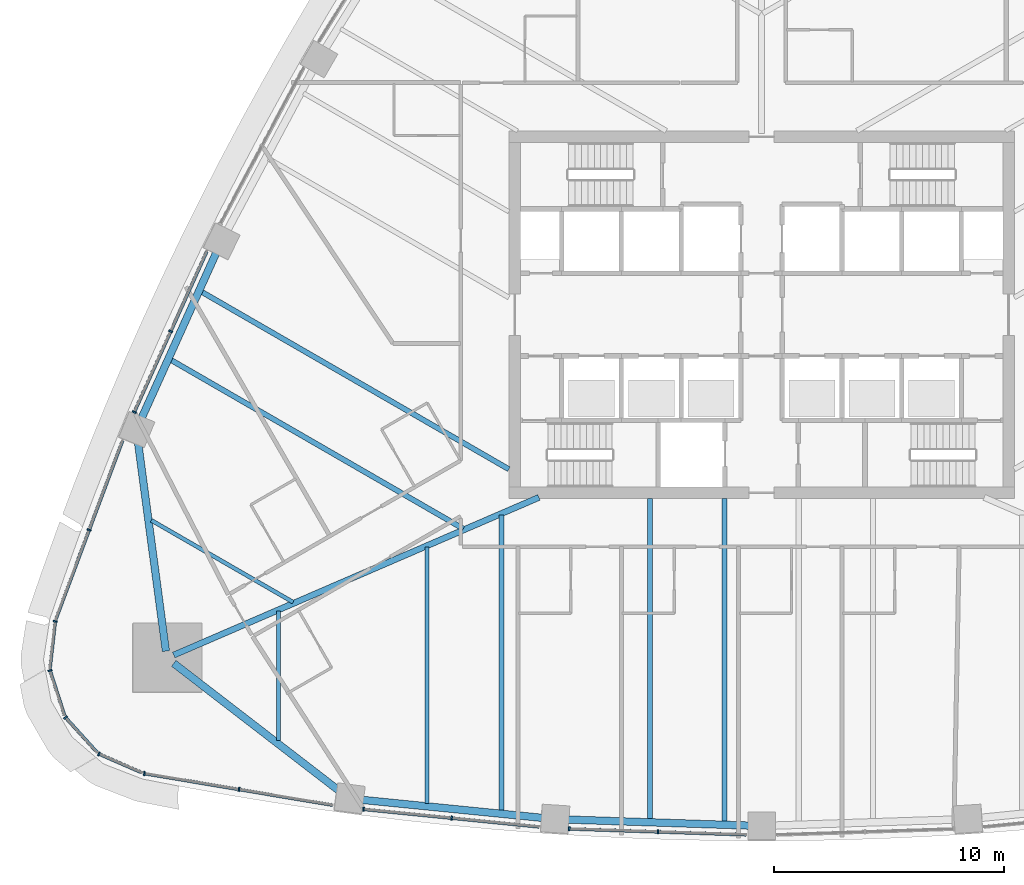
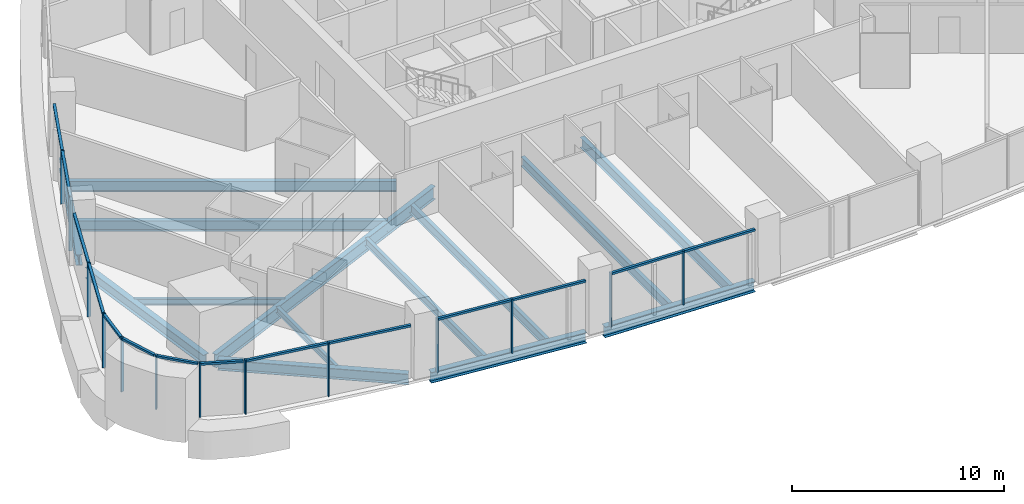
# One storey, part 2 of 17: 27 members, 14 beams, 9 elements without a shape of their own.
"""IFC4 building model written with IfcOpenShell, lengths in metres."""

from ifc_helpers import new_model, si_unit, direction, frame, origin, origin_2d, place, context, subcontext, project, spatial, rectangle, i_section, extrude, material, layer, layer_set, material_profile, profile_set, type_object, element, aggregate, save


model = new_model("IFC4")

# Units and contexts
model_context = context("Model", 3, precision=1e-05, world=origin(), true_north=direction((0.0, 1.0)))
body_context = subcontext(model_context, "Body", "Model", "MODEL_VIEW")
ifc_project = project(units=[si_unit("LENGTHUNIT", "METRE"), si_unit("AREAUNIT", "SQUARE_METRE"), si_unit("VOLUMEUNIT", "CUBIC_METRE"), si_unit("PLANEANGLEUNIT", "RADIAN"), si_unit("MASSUNIT", "GRAM", prefix="KILO")], contexts=[model_context])

# Site, building, storey
site_placement = place(None, origin())
site = spatial("IfcSite", under=ifc_project, at=site_placement, CompositionType="ELEMENT")
building_placement = place(site_placement, origin())
building = spatial("IfcBuilding", under=site, at=building_placement, Name="Sierra Prisma Convention Tower", CompositionType="ELEMENT")
storey_placement = place(building_placement, frame((0.0, 0.0, 92.39990234375)))
storey = spatial("IfcBuildingStorey", under=building, at=storey_placement, Name="L19", CompositionType="ELEMENT", Elevation=92.39990234375)

# Curtain wall, members
ifc_material_1 = material(Name="Aluminium and glass curtain wall", Category="aluminium")
ifc_layer = layer(ifc_material_1, 0.179931640625)
ifc_layer_set = layer_set([ifc_layer], Name="CW-1 Plain shaft curtain wall")
curtain_wall_type = type_object("IfcCurtainWallType", Name="CW-1 Plain shaft curtain wall", PredefinedType="NOTDEFINED", material=ifc_layer_set)
curtain_wall_1_placement = place(storey_placement, origin())
curtain_wall_1 = element("IfcCurtainWall", 1, at=curtain_wall_1_placement, inside=storey, type_object=curtain_wall_type, Name="CW-1 S1 L19", PredefinedType="NOTDEFINED")
ifc_material_2 = material(Name="Aluminium 6063-T6 bronze anodised", Category="aluminium")
ifc_material_profile_1 = material_profile(ifc_material_2, rectangle(XDim=0.179931640625, YDim=0.070068359375, at=origin_2d()), Name="ALU MULLION 70x180")
ifc_profile_set_1 = profile_set([ifc_material_profile_1], Name="Aluminium 6063-T6 bronze anodised")
member_type_1 = type_object("IfcMemberType", Name="CW mullion bronze", PredefinedType="MULLION", material=ifc_profile_set_1)
member_1_placement = place(storey_placement, frame((-26.864990234375, -19.970458984375, 0.0), z_axis=(0.0, 0.0, 1.0), x_axis=(0.165422104456, 0.98622285887, 0.0)))
member_1 = element("IfcMember", 2, at=member_1_placement, type_object=member_type_1, Name="CW-1 mullion S1.1", PredefinedType="MULLION", context=body_context, shape_type="SweptSolid", body=[
    extrude(rectangle(XDim=0.179931640625, YDim=0.070068359375, at=origin_2d()), origin(), (0.0, 0.0, 1.0), 3.10009765625),
])
member_2_placement = place(storey_placement, frame((-22.745361328125, -20.661376953125, 0.0), z_axis=(0.0, 0.0, 1.0), x_axis=(0.165422104456, 0.98622285887, 0.0)))
member_2 = element("IfcMember", 3, at=member_2_placement, type_object=member_type_1, Name="CW-1 mullion S1.2", PredefinedType="MULLION", context=body_context, shape_type="SweptSolid", body=[
    extrude(rectangle(XDim=0.179931640625, YDim=0.070068359375, at=origin_2d()), origin(), (0.0, 0.0, 1.0), 3.10009765625),
])

curtain_wall_2_placement = place(storey_placement, origin())
curtain_wall_2 = element("IfcCurtainWall", 4, at=curtain_wall_2_placement, inside=storey, type_object=curtain_wall_type, Name="CW-1 S2 L19", PredefinedType="NOTDEFINED")
member_3_placement = place(storey_placement, frame((-17.322509765625, -21.525146484375, 0.0), z_axis=(0.0, 0.0, 1.0), x_axis=(0.099546451535, 0.995032916032, 0.0)))
member_3 = element("IfcMember", 5, at=member_3_placement, type_object=member_type_1, Name="CW-1 mullion S2.1", PredefinedType="MULLION", context=body_context, shape_type="SweptSolid", body=[
    extrude(rectangle(XDim=0.179931640625, YDim=0.070068359375, at=origin_2d()), origin(), (0.0, 0.0, 1.0), 3.10009765625),
])
member_4_placement = place(storey_placement, frame((-13.48681640625, -21.908935546875, 0.0), z_axis=(0.0, 0.0, 1.0), x_axis=(0.099546451535, 0.995032916032, 0.0)))
member_4 = element("IfcMember", 6, at=member_4_placement, type_object=member_type_1, Name="CW-1 mullion S2.2", PredefinedType="MULLION", context=body_context, shape_type="SweptSolid", body=[
    extrude(rectangle(XDim=0.179931640625, YDim=0.070068359375, at=origin_2d()), origin(), (0.0, 0.0, 1.0), 3.10009765625),
])

curtain_wall_3_placement = place(storey_placement, origin())
curtain_wall_3 = element("IfcCurtainWall", 7, at=curtain_wall_3_placement, inside=storey, type_object=curtain_wall_type, Name="CW-1 S3 L19", PredefinedType="NOTDEFINED")
member_5_placement = place(storey_placement, frame((-8.3720703125, -22.37744140625, 0.0), z_axis=(0.0, 0.0, 1.0), x_axis=(0.033231080162, 0.999447695135, 0.0)))
member_5 = element("IfcMember", 8, at=member_5_placement, type_object=member_type_1, Name="CW-1 mullion S3.1", PredefinedType="MULLION", context=body_context, shape_type="SweptSolid", body=[
    extrude(rectangle(XDim=0.179931640625, YDim=0.070068359375, at=origin_2d()), origin(), (0.0, 0.0, 1.0), 3.10009765625),
])
member_6_placement = place(storey_placement, frame((-4.50341796875, -22.505859375, 0.0), z_axis=(0.0, 0.0, 1.0), x_axis=(0.033231080162, 0.999447695135, 0.0)))
member_6 = element("IfcMember", 9, at=member_6_placement, type_object=member_type_1, Name="CW-1 mullion S3.2", PredefinedType="MULLION", context=body_context, shape_type="SweptSolid", body=[
    extrude(rectangle(XDim=0.179931640625, YDim=0.070068359375, at=origin_2d()), origin(), (0.0, 0.0, 1.0), 3.10009765625),
])

curtain_wall_4_placement = place(storey_placement, origin())
curtain_wall_4 = element("IfcCurtainWall", 10, at=curtain_wall_4_placement, inside=storey, type_object=curtain_wall_type, Name="CW-1 NW5 L19", PredefinedType="NOTDEFINED")
member_7_placement = place(storey_placement, frame((-25.717041015625, -0.7255859375, 0.0), z_axis=(0.0, 0.0, 1.0), x_axis=(0.911497008653, -0.41130670213, 0.0)))
member_7 = element("IfcMember", 11, at=member_7_placement, type_object=member_type_1, Name="CW-1 mullion NW5.2", PredefinedType="MULLION", context=body_context, shape_type="SweptSolid", body=[
    extrude(rectangle(XDim=0.179931640625, YDim=0.070068359375, at=origin_2d()), origin(), (0.0, 0.0, 1.0), 3.10009765625),
])
member_8_placement = place(storey_placement, frame((-27.302490234375, -4.239013671875, 0.0), z_axis=(0.0, 0.0, 1.0), x_axis=(0.911497008653, -0.41130670213, 0.0)))
member_8 = element("IfcMember", 12, at=member_8_placement, type_object=member_type_1, Name="CW-1 mullion NW5.3", PredefinedType="MULLION", context=body_context, shape_type="SweptSolid", body=[
    extrude(rectangle(XDim=0.179931640625, YDim=0.070068359375, at=origin_2d()), origin(), (0.0, 0.0, 1.0), 3.10009765625),
])

# Curtain wall, member
curtain_wall_5_placement = place(storey_placement, origin())
curtain_wall_5 = element("IfcCurtainWall", 13, at=curtain_wall_5_placement, inside=storey, type_object=curtain_wall_type, Name="CW-1 NW6 L19", PredefinedType="NOTDEFINED")
member_9_placement = place(storey_placement, frame((-29.265869140625, -9.3671875, 0.0), z_axis=(0.0, 0.0, 1.0), x_axis=(0.936805101802, -0.349851684629, 0.0)))
member_9 = element("IfcMember", 14, at=member_9_placement, type_object=member_type_1, Name="CW-1 mullion NW6.2", PredefinedType="MULLION", context=body_context, shape_type="SweptSolid", body=[
    extrude(rectangle(XDim=0.179931640625, YDim=0.070068359375, at=origin_2d()), origin(), (0.0, 0.0, 1.0), 3.10009765625),
])

curtain_wall_6_placement = place(storey_placement, origin())
curtain_wall_6 = element("IfcCurtainWall", 15, at=curtain_wall_6_placement, inside=storey, type_object=curtain_wall_type, Name="CW-1 SW1 L19", PredefinedType="NOTDEFINED")
member_10_placement = place(storey_placement, frame((-30.743408203125, -13.34814453125, 0.0), z_axis=(0.0, 0.0, 1.0), x_axis=(0.993708598204, -0.111996526083, 0.0)))
member_10 = element("IfcMember", 16, at=member_10_placement, type_object=member_type_1, Name="CW-1 mullion SW1.1", PredefinedType="MULLION", context=body_context, shape_type="SweptSolid", body=[
    extrude(rectangle(XDim=0.179931640625, YDim=0.070068359375, at=origin_2d()), origin(), (0.0, 0.0, 1.0), 3.10009765625),
])

curtain_wall_7_placement = place(storey_placement, origin())
curtain_wall_7 = element("IfcCurtainWall", 17, at=curtain_wall_7_placement, inside=storey, type_object=curtain_wall_type, Name="CW-1 SW2 L19", PredefinedType="NOTDEFINED")
member_11_placement = place(storey_placement, frame((-30.97021484375, -15.48779296875, 0.0), z_axis=(0.0, 0.0, 1.0), x_axis=(0.951827336529, 0.306634507902, 0.0)))
member_11 = element("IfcMember", 18, at=member_11_placement, type_object=member_type_1, Name="CW-1 mullion SW2.1", PredefinedType="MULLION", context=body_context, shape_type="SweptSolid", body=[
    extrude(rectangle(XDim=0.179931640625, YDim=0.070068359375, at=origin_2d()), origin(), (0.0, 0.0, 1.0), 3.10009765625),
])

curtain_wall_8_placement = place(storey_placement, origin())
curtain_wall_8 = element("IfcCurtainWall", 19, at=curtain_wall_8_placement, inside=storey, type_object=curtain_wall_type, Name="CW-1 SW3 L19", PredefinedType="NOTDEFINED")
member_12_placement = place(storey_placement, frame((-30.296630859375, -17.53125, 0.0), z_axis=(0.0, 0.0, 1.0), x_axis=(0.741466941784, 0.6709893995, 0.0)))
member_12 = element("IfcMember", 20, at=member_12_placement, type_object=member_type_1, Name="CW-1 mullion SW3.1", PredefinedType="MULLION", context=body_context, shape_type="SweptSolid", body=[
    extrude(rectangle(XDim=0.179931640625, YDim=0.070068359375, at=origin_2d()), origin(), (0.0, 0.0, 1.0), 3.10009765625),
])

curtain_wall_9_placement = place(storey_placement, origin())
curtain_wall_9 = element("IfcCurtainWall", 21, at=curtain_wall_9_placement, inside=storey, type_object=curtain_wall_type, Name="CW-1 SW4 L19", PredefinedType="NOTDEFINED")
member_13_placement = place(storey_placement, frame((-28.84228515625, -19.116943359375, 0.0), z_axis=(0.0, 0.0, 1.0), x_axis=(0.399862462379, 0.916575153045, 0.0)))
member_13 = element("IfcMember", 22, at=member_13_placement, type_object=member_type_1, Name="CW-1 mullion SW4.1", PredefinedType="MULLION", context=body_context, shape_type="SweptSolid", body=[
    extrude(rectangle(XDim=0.179931640625, YDim=0.070068359375, at=origin_2d()), origin(), (0.0, 0.0, 1.0), 3.10009765625),
])

# Member
ifc_material_3 = material(Name="Aluminium 6063-T6 bronze anodised", Category="aluminium")
ifc_material_profile_2 = material_profile(ifc_material_3, rectangle(XDim=0.139892578125, YDim=0.1201171875, at=origin_2d()), Name="ALU TRANSOM 120x140")
ifc_profile_set_2 = profile_set([ifc_material_profile_2], Name="Aluminium 6063-T6 bronze anodised")
member_type_2 = type_object("IfcMemberType", Name="CW transom bronze", PredefinedType="USERDEFINED", material=ifc_profile_set_2)
member_14_placement = place(storey_placement, frame((-26.83056640625, -19.97607421875, 3.0400390625), z_axis=(0.986223108037, -0.165420618953, 0.0), x_axis=(0.165420618953, 0.986223108037, 0.0)))
member_14 = element("IfcMember", 23, at=member_14_placement, type_object=member_type_2, Name="CW-1 transom S1.1", ObjectType="TRANSOM", PredefinedType="USERDEFINED", context=body_context, shape_type="SweptSolid", body=[
    extrude(rectangle(XDim=0.139892578125, YDim=0.1201171875, at=origin_2d()), origin(), (0.0, 0.0, 1.0), 4.107421875),
])

member_15_placement = place(storey_placement, frame((-22.710693359375, -20.667236328125, 3.0400390625), z_axis=(0.986221481387, -0.165430316599, 0.0), x_axis=(0.165430316599, 0.986221481387, 0.0)))
member_15 = element("IfcMember", 24, at=member_15_placement, type_object=member_type_2, Name="CW-1 transom S1.2", ObjectType="TRANSOM", PredefinedType="USERDEFINED", context=body_context, shape_type="SweptSolid", body=[
    extrude(rectangle(XDim=0.139892578125, YDim=0.1201171875, at=origin_2d()), origin(), (0.0, 0.0, 1.0), 4.107177734375),
])

aggregate(curtain_wall_1, [member_1, member_2, member_14, member_15])

member_16_placement = place(storey_placement, frame((-17.28759765625, -21.528564453125, 3.0400390625), z_axis=(0.995027605282, -0.099599521722, 0.0), x_axis=(0.099599521722, 0.995027605282, 0.0)))
member_16 = element("IfcMember", 25, at=member_16_placement, type_object=member_type_2, Name="CW-1 transom S2.1", ObjectType="TRANSOM", PredefinedType="USERDEFINED", context=body_context, shape_type="SweptSolid", body=[
    extrude(rectangle(XDim=0.139892578125, YDim=0.1201171875, at=origin_2d()), origin(), (0.0, 0.0, 1.0), 3.78466796875),
])

member_17_placement = place(storey_placement, frame((-13.4521484375, -21.912353515625, 3.0400390625), z_axis=(0.995033996238, -0.099535653562, 0.0), x_axis=(0.099535653562, 0.995033996238, 0.0)))
member_17 = element("IfcMember", 26, at=member_17_placement, type_object=member_type_2, Name="CW-1 transom S2.2", ObjectType="TRANSOM", PredefinedType="USERDEFINED", context=body_context, shape_type="SweptSolid", body=[
    extrude(rectangle(XDim=0.139892578125, YDim=0.1201171875, at=origin_2d()), origin(), (0.0, 0.0, 1.0), 3.78466796875),
])

aggregate(curtain_wall_2, [member_3, member_4, member_16, member_17])

member_18_placement = place(storey_placement, frame((-8.337158203125, -22.37841796875, 3.0400390625), z_axis=(0.999446331852, -0.033272056549, 0.0), x_axis=(0.033272056549, 0.999446331852, 0.0)))
member_18 = element("IfcMember", 27, at=member_18_placement, type_object=member_type_2, Name="CW-1 transom S3.1", ObjectType="TRANSOM", PredefinedType="USERDEFINED", context=body_context, shape_type="SweptSolid", body=[
    extrude(rectangle(XDim=0.139892578125, YDim=0.1201171875, at=origin_2d()), origin(), (0.0, 0.0, 1.0), 3.801025390625),
])

member_19_placement = place(storey_placement, frame((-4.46826171875, -22.507080078125, 3.0400390625), z_axis=(0.999446260739, -0.033274192626, 0.0), x_axis=(0.033274192626, 0.999446260739, 0.0)))
member_19 = element("IfcMember", 28, at=member_19_placement, type_object=member_type_2, Name="CW-1 transom S3.2", ObjectType="TRANSOM", PredefinedType="USERDEFINED", context=body_context, shape_type="SweptSolid", body=[
    extrude(rectangle(XDim=0.139892578125, YDim=0.1201171875, at=origin_2d()), origin(), (0.0, 0.0, 1.0), 3.80078125),
])

aggregate(curtain_wall_3, [member_5, member_6, member_18, member_19])

member_20_placement = place(storey_placement, frame((-24.14599609375, 2.756103515625, 3.0400390625), z_axis=(-0.411303246286, -0.911498568071, 0.0), x_axis=(0.911498568071, -0.411303246286, 0.0)))
member_20 = element("IfcMember", 29, at=member_20_placement, type_object=member_type_2, Name="CW-1 transom NW5.1", ObjectType="TRANSOM", PredefinedType="USERDEFINED", context=body_context, shape_type="SweptSolid", body=[
    extrude(rectangle(XDim=0.139892578125, YDim=0.1201171875, at=origin_2d()), origin(), (0.0, 0.0, 1.0), 3.78466796875),
])

member_21_placement = place(storey_placement, frame((-25.7314453125, -0.757568359375, 3.0400390625), z_axis=(-0.411327431776, -0.91148765426, 0.0), x_axis=(0.91148765426, -0.411327431776, 0.0)))
member_21 = element("IfcMember", 30, at=member_21_placement, type_object=member_type_2, Name="CW-1 transom NW5.2", ObjectType="TRANSOM", PredefinedType="USERDEFINED", context=body_context, shape_type="SweptSolid", body=[
    extrude(rectangle(XDim=0.139892578125, YDim=0.1201171875, at=origin_2d()), origin(), (0.0, 0.0, 1.0), 3.784423828125),
])

aggregate(curtain_wall_4, [member_7, member_8, member_20, member_21])

member_22_placement = place(storey_placement, frame((-27.816650390625, -5.48681640625, 3.0400390625), z_axis=(-0.349872414947, -0.936797359763, 0.0), x_axis=(0.936797359763, -0.349872414947, 0.0)))
member_22 = element("IfcMember", 31, at=member_22_placement, type_object=member_type_2, Name="CW-1 transom NW6.1", ObjectType="TRANSOM", PredefinedType="USERDEFINED", context=body_context, shape_type="SweptSolid", body=[
    extrude(rectangle(XDim=0.139892578125, YDim=0.1201171875, at=origin_2d()), origin(), (0.0, 0.0, 1.0), 4.107177734375),
])

member_23_placement = place(storey_placement, frame((-29.278076171875, -9.400146484375, 3.0400390625), z_axis=(-0.349872414947, -0.936797359763, 0.0), x_axis=(0.936797359763, -0.349872414947, 0.0)))
member_23 = element("IfcMember", 32, at=member_23_placement, type_object=member_type_2, Name="CW-1 transom NW6.2", ObjectType="TRANSOM", PredefinedType="USERDEFINED", context=body_context, shape_type="SweptSolid", body=[
    extrude(rectangle(XDim=0.139892578125, YDim=0.1201171875, at=origin_2d()), origin(), (0.0, 0.0, 1.0), 4.107177734375),
])

aggregate(curtain_wall_5, [member_9, member_22, member_23])

member_24_placement = place(storey_placement, frame((-30.74755859375, -13.3828125, 3.0400390625), z_axis=(-0.11196079324, -0.993712624845, 0.0), x_axis=(0.993712624845, -0.11196079324, 0.0)))
member_24 = element("IfcMember", 33, at=member_24_placement, type_object=member_type_2, Name="CW-1 transom SW1.1", ObjectType="TRANSOM", PredefinedType="USERDEFINED", context=body_context, shape_type="SweptSolid", body=[
    extrude(rectangle(XDim=0.139892578125, YDim=0.1201171875, at=origin_2d()), origin(), (0.0, 0.0, 1.0), 2.014892578125),
])

aggregate(curtain_wall_6, [member_10, member_24])

member_25_placement = place(storey_placement, frame((-30.95947265625, -15.52099609375, 3.0400390625), z_axis=(0.306577887358, -0.951845575177, 0.0), x_axis=(0.951845575177, 0.306577887358, 0.0)))
member_25 = element("IfcMember", 34, at=member_25_placement, type_object=member_type_2, Name="CW-1 transom SW2.1", ObjectType="TRANSOM", PredefinedType="USERDEFINED", context=body_context, shape_type="SweptSolid", body=[
    extrude(rectangle(XDim=0.139892578125, YDim=0.1201171875, at=origin_2d()), origin(), (0.0, 0.0, 1.0), 2.0146484375),
])

aggregate(curtain_wall_7, [member_11, member_25])

member_26_placement = place(storey_placement, frame((-30.273193359375, -17.557373046875, 3.0400390625), z_axis=(0.671024381323, -0.741435283535, 0.0), x_axis=(0.741435283535, 0.671024381323, 0.0)))
member_26 = element("IfcMember", 35, at=member_26_placement, type_object=member_type_2, Name="CW-1 transom SW3.1", ObjectType="TRANSOM", PredefinedType="USERDEFINED", context=body_context, shape_type="SweptSolid", body=[
    extrude(rectangle(XDim=0.139892578125, YDim=0.1201171875, at=origin_2d()), origin(), (0.0, 0.0, 1.0), 2.0146484375),
])

aggregate(curtain_wall_8, [member_12, member_26])

member_27_placement = place(storey_placement, frame((-28.810302734375, -19.131103515625, 3.0400390625), z_axis=(0.916612858934, -0.399776020838, 0.0), x_axis=(0.399776020838, 0.916612858934, 0.0)))
member_27 = element("IfcMember", 36, at=member_27_placement, type_object=member_type_2, Name="CW-1 transom SW4.1", ObjectType="TRANSOM", PredefinedType="USERDEFINED", context=body_context, shape_type="SweptSolid", body=[
    extrude(rectangle(XDim=0.139892578125, YDim=0.1201171875, at=origin_2d()), origin(), (0.0, 0.0, 1.0), 2.0146484375),
])

aggregate(curtain_wall_9, [member_13, member_27])

# Beams
ifc_material_4 = material(Name="Steel ASTM A992 Gr 50", Category="steel")
ifc_material_profile_3 = material_profile(ifc_material_4, i_section(OverallWidth=0.172119140625, OverallDepth=0.35791015625, WebThickness=0.0078125, FlangeThickness=0.01318359375, at=origin_2d()), Name="W360x57")
ifc_profile_set_3 = profile_set([ifc_material_profile_3], Name="Steel ASTM A992 Gr 50")
beam_type_1 = type_object("IfcBeamType", Name="Floor joist W360x57", PredefinedType="JOIST", material=ifc_profile_set_3)
beam_1_placement = place(storey_placement, frame((-21.031494140625, -18.52880859375, -0.328857421875), z_axis=(0.0, 1.0, 0.0), x_axis=(-1.0, 0.0, 0.0)))
element("IfcBeam", 37, at=beam_1_placement, inside=storey, type_object=beam_type_1, Name="Floor joist L19 S02", PredefinedType="JOIST", context=body_context, shape_type="SweptSolid", body=[
    extrude(i_section(OverallWidth=0.172119140625, OverallDepth=0.35791015625, WebThickness=0.0078125, FlangeThickness=0.01318359375, at=origin_2d()), origin(), (0.0, 0.0, 1.0), 5.621826171875),
])
beam_2_placement = place(storey_placement, frame((-26.562255859375, -8.949462890625, -0.328857421875), z_axis=(0.866025902152, -0.499999136801, 0.0), x_axis=(0.499999136801, 0.866025902152, 0.0)))
element("IfcBeam", 38, at=beam_2_placement, inside=storey, type_object=beam_type_1, Name="Floor joist L19 NW15", PredefinedType="JOIST", context=body_context, shape_type="SweptSolid", body=[
    extrude(i_section(OverallWidth=0.172119140625, OverallDepth=0.35791015625, WebThickness=0.0078125, FlangeThickness=0.01318359375, at=origin_2d()), origin(), (0.0, 0.0, 1.0), 7.12890625),
])
ifc_material_5 = material(Name="Steel ASTM A992 Gr 50", Category="steel")
ifc_material_profile_4 = material_profile(ifc_material_5, i_section(OverallWidth=0.18994140625, OverallDepth=0.45703125, WebThickness=0.009033203125, FlangeThickness=0.014404296875, at=origin_2d()), Name="W460x74")
ifc_profile_set_4 = profile_set([ifc_material_profile_4], Name="Steel ASTM A992 Gr 50")
beam_type_2 = type_object("IfcBeamType", Name="Floor joist W460x74", PredefinedType="JOIST", material=ifc_profile_set_4)
beam_3_placement = place(storey_placement, frame((-14.560302734375, -21.286376953125, -0.37841796875), z_axis=(0.0, 1.0, 0.0), x_axis=(-1.0, 0.0, 0.0)))
element("IfcBeam", 39, at=beam_3_placement, inside=storey, type_object=beam_type_2, Name="Floor joist L19 S04", PredefinedType="JOIST", context=body_context, shape_type="SweptSolid", body=[
    extrude(i_section(OverallWidth=0.18994140625, OverallDepth=0.45703125, WebThickness=0.009033203125, FlangeThickness=0.014404296875, at=origin_2d()), origin(), (0.0, 0.0, 1.0), 11.17333984375),
])
ifc_material_6 = material(Name="Steel ASTM A992 Gr 50", Category="steel")
ifc_material_profile_5 = material_profile(ifc_material_6, i_section(OverallWidth=0.208984375, OverallDepth=0.532958984375, WebThickness=0.01025390625, FlangeThickness=0.015625, at=origin_2d()), Name="W530x92")
ifc_profile_set_5 = profile_set([ifc_material_profile_5], Name="Steel ASTM A992 Gr 50")
beam_type_3 = type_object("IfcBeamType", Name="Floor joist W530x92", PredefinedType="JOIST", material=ifc_profile_set_5)
beam_4_placement = place(storey_placement, frame((-11.32470703125, -21.610107421875, -0.41650390625), z_axis=(0.0, 1.0, 0.0), x_axis=(-1.0, 0.0, 0.0)))
element("IfcBeam", 40, at=beam_4_placement, inside=storey, type_object=beam_type_3, Name="Floor joist L19 S05", PredefinedType="JOIST", context=body_context, shape_type="SweptSolid", body=[
    extrude(i_section(OverallWidth=0.208984375, OverallDepth=0.532958984375, WebThickness=0.01025390625, FlangeThickness=0.015625, at=origin_2d()), origin(), (0.0, 0.0, 1.0), 12.89404296875),
])
beam_5_placement = place(storey_placement, frame((-4.853515625, -21.981689453125, -0.41650390625), z_axis=(0.0, 1.0, 0.0), x_axis=(-1.0, 0.0, 0.0)))
element("IfcBeam", 41, at=beam_5_placement, inside=storey, type_object=beam_type_3, Name="Floor joist L19 S07", PredefinedType="JOIST", context=body_context, shape_type="SweptSolid", body=[
    extrude(i_section(OverallWidth=0.208984375, OverallDepth=0.532958984375, WebThickness=0.01025390625, FlangeThickness=0.015625, at=origin_2d()), origin(), (0.0, 0.0, 1.0), 13.981689453125),
])
ifc_material_7 = material(Name="Steel ASTM A992 Gr 50", Category="steel")
ifc_material_profile_6 = material_profile(ifc_material_7, i_section(OverallWidth=0.22802734375, OverallDepth=0.60302734375, WebThickness=0.010498046875, FlangeThickness=0.014892578125, at=origin_2d()), Name="W610x101")
ifc_profile_set_6 = profile_set([ifc_material_profile_6], Name="Steel ASTM A992 Gr 50")
beam_type_4 = type_object("IfcBeamType", Name="Floor joist W610x101", PredefinedType="JOIST", material=ifc_profile_set_6)
beam_6_placement = place(storey_placement, frame((-1.617919921875, -22.08935546875, -0.451416015625), z_axis=(0.0, 1.0, 0.0), x_axis=(-1.0, 0.0, 0.0)))
element("IfcBeam", 42, at=beam_6_placement, inside=storey, type_object=beam_type_4, Name="Floor joist L19 S08", PredefinedType="JOIST", context=body_context, shape_type="SweptSolid", body=[
    extrude(i_section(OverallWidth=0.22802734375, OverallDepth=0.60302734375, WebThickness=0.010498046875, FlangeThickness=0.014892578125, at=origin_2d()), origin(), (0.0, 0.0, 1.0), 14.08935546875),
])
beam_7_placement = place(storey_placement, frame((-24.377197265625, 0.99755859375, -0.451416015625), z_axis=(0.866023715381, -0.500002924389, 0.0), x_axis=(0.500002924389, 0.866023715381, 0.0)))
element("IfcBeam", 43, at=beam_7_placement, inside=storey, type_object=beam_type_4, Name="Floor joist L19 NW12", PredefinedType="JOIST", context=body_context, shape_type="SweptSolid", body=[
    extrude(i_section(OverallWidth=0.22802734375, OverallDepth=0.60302734375, WebThickness=0.010498046875, FlangeThickness=0.014892578125, at=origin_2d()), origin(), (0.0, 0.0, 1.0), 15.44677734375),
])
beam_8_placement = place(storey_placement, frame((-25.71484375, -1.96630859375, -0.451416015625), z_axis=(0.866030163094, -0.499991756544, 0.0), x_axis=(0.499991756544, 0.866030163094, 0.0)))
element("IfcBeam", 44, at=beam_8_placement, inside=storey, type_object=beam_type_4, Name="Floor joist L19 NW13", PredefinedType="JOIST", context=body_context, shape_type="SweptSolid", body=[
    extrude(i_section(OverallWidth=0.22802734375, OverallDepth=0.60302734375, WebThickness=0.010498046875, FlangeThickness=0.014892578125, at=origin_2d()), origin(), (0.0, 0.0, 1.0), 14.700927734375),
])
ifc_material_8 = material(Name="Steel ASTM A992 Gr 50", Category="steel")
ifc_material_profile_7 = material_profile(ifc_material_8, i_section(OverallWidth=0.264892578125, OverallDepth=0.7529296875, WebThickness=0.01318359375, FlangeThickness=0.01708984375, at=origin_2d()), Name="W760x147")
ifc_profile_set_7 = profile_set([ifc_material_profile_7], Name="Steel ASTM A992 Gr 50")
beam_type_5 = type_object("IfcBeamType", Name="Radial girder W760x147", PredefinedType="BEAM", material=ifc_profile_set_7)
beam_9_placement = place(storey_placement, frame((-25.5849609375, -14.815185546875, -0.5263671875), z_axis=(0.918082647967, 0.396389015365, 0.0), x_axis=(-0.396389015365, 0.918082647967, 0.0)))
element("IfcBeam", 45, at=beam_9_placement, inside=storey, type_object=beam_type_5, Name="Radial girder L19 SW", PredefinedType="BEAM", context=body_context, shape_type="SweptSolid", body=[
    extrude(i_section(OverallWidth=0.264892578125, OverallDepth=0.7529296875, WebThickness=0.01318359375, FlangeThickness=0.01708984375, at=origin_2d()), origin(), (0.0, 0.0, 1.0), 17.313232421875),
])
ifc_material_9 = material(Name="Steel ASTM A992 Gr 50", Category="steel")
ifc_material_profile_8 = material_profile(ifc_material_9, i_section(OverallWidth=0.324951171875, OverallDepth=0.615966796875, WebThickness=0.013916015625, FlangeThickness=0.021484375, at=origin_2d()), Name="W610x174")
ifc_profile_set_8 = profile_set([ifc_material_profile_8], Name="Steel ASTM A992 Gr 50")
beam_type_6 = type_object("IfcBeamType", Name="Spandrel beam W610x174", PredefinedType="BEAM", material=ifc_profile_set_8)
beam_10_placement = place(storey_placement, frame((-25.5849609375, -15.17578125, -0.4580078125), z_axis=(0.792151446412, -0.610324574262, 0.0), x_axis=(0.610324574262, 0.792151446412, 0.0)))
element("IfcBeam", 46, at=beam_10_placement, inside=storey, type_object=beam_type_6, Name="Spandrel L19-01", PredefinedType="BEAM", context=body_context, shape_type="SweptSolid", body=[
    extrude(i_section(OverallWidth=0.324951171875, OverallDepth=0.615966796875, WebThickness=0.013916015625, FlangeThickness=0.021484375, at=origin_2d()), origin(), (0.0, 0.0, 1.0), 9.070068359375),
])
for number, where, z_axis, x_axis, name in (
    (47, (-17.46826171875, -21.10888671875, -0.4580078125), (0.995033279634, -0.099542817027, 0.0), (0.099542817027, 0.995033279634, 0.0), "Spandrel L19-02"),
    (48, (-8.512939453125, -21.97265625, -0.4580078125), (0.999447701648, -0.033230884284, 0.0), (0.033230884284, 0.999447701648, 0.0), "Spandrel L19-03"),
):
    element("IfcBeam", number, at=place(storey_placement, frame(where, z_axis=z_axis, x_axis=x_axis)), inside=storey, type_object=beam_type_6, Name=name, PredefinedType="BEAM", context=body_context, shape_type="SweptSolid", body=[
        extrude(i_section(OverallWidth=0.324951171875, OverallDepth=0.615966796875, WebThickness=0.013916015625, FlangeThickness=0.021484375, at=origin_2d()), origin(), (0.0, 0.0, 1.0), 8.037353515625),
    ])
beam_11_placement = place(storey_placement, frame((-23.709228515625, 2.75244140625, -0.4580078125), z_axis=(-0.41129533029, -0.911502140031, 0.0), x_axis=(0.911502140031, -0.41129533029, 0.0)))
element("IfcBeam", 49, at=beam_11_placement, inside=storey, type_object=beam_type_6, Name="Spandrel L19-17", PredefinedType="BEAM", context=body_context, shape_type="SweptSolid", body=[
    extrude(i_section(OverallWidth=0.324951171875, OverallDepth=0.615966796875, WebThickness=0.013916015625, FlangeThickness=0.021484375, at=origin_2d()), origin(), (0.0, 0.0, 1.0), 8.037109375),
])
beam_12_placement = place(storey_placement, frame((-27.13671875, -5.5791015625, -0.4580078125), z_axis=(0.13247668442, -0.991186121818, 0.0), x_axis=(0.991186121818, 0.13247668442, 0.0)))
element("IfcBeam", 50, at=beam_12_placement, inside=storey, type_object=beam_type_6, Name="Spandrel L19-18", PredefinedType="BEAM", context=body_context, shape_type="SweptSolid", body=[
    extrude(i_section(OverallWidth=0.324951171875, OverallDepth=0.615966796875, WebThickness=0.013916015625, FlangeThickness=0.021484375, at=origin_2d()), origin(), (0.0, 0.0, 1.0), 9.146240234375),
])

save(model, "model.ifc")
